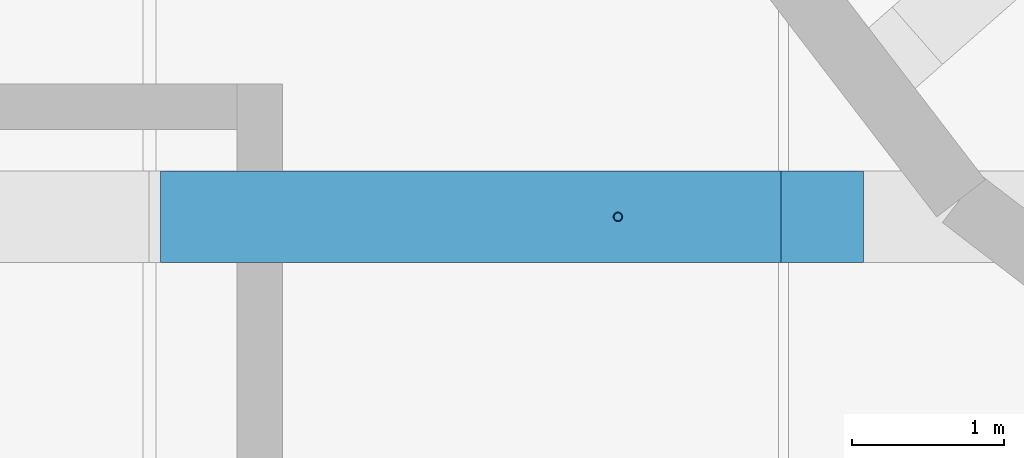
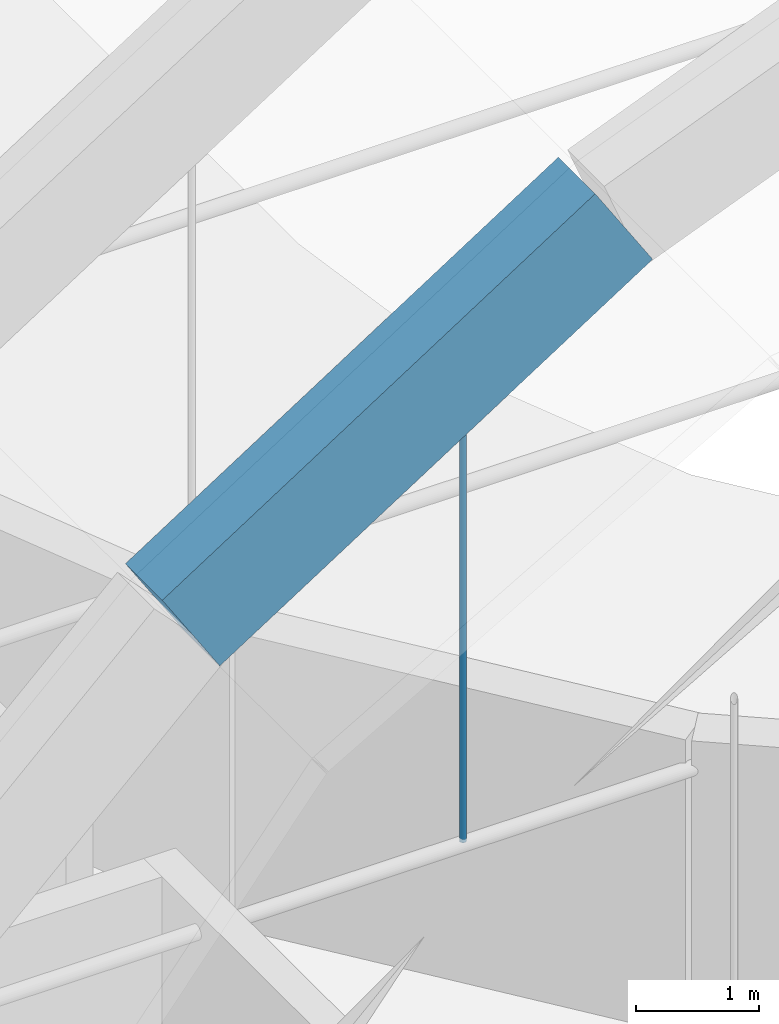
# One storey, part 13 of 94: 1 beam, 1 member.
"""IFC4 building model written with IfcOpenShell, lengths in metres."""

from ifc_helpers import new_model, si_unit, direction, frame, origin, origin_2d, place, context, subcontext, project, spatial, rectangle, hollow_circle, extrude, material, material_profile, profile_set, type_object, element, save


model = new_model("IFC4")

# Units and contexts
model_context = context("Model", 3, precision=1e-05, world=origin(), true_north=direction((0.0, 1.0)))
body_context = subcontext(model_context, "Body", "Model", "MODEL_VIEW")
ifc_project = project(units=[si_unit("LENGTHUNIT", "METRE"), si_unit("AREAUNIT", "SQUARE_METRE"), si_unit("VOLUMEUNIT", "CUBIC_METRE"), si_unit("PLANEANGLEUNIT", "RADIAN"), si_unit("MASSUNIT", "GRAM", prefix="KILO")], contexts=[model_context])

# Site, building, storey
site_placement = place(None, origin())
site = spatial("IfcSite", under=ifc_project, at=site_placement, CompositionType="ELEMENT")
building_placement = place(site_placement, origin())
building = spatial("IfcBuilding", under=site, at=building_placement, Name="Lunette Opera House", CompositionType="ELEMENT")
storey_placement = place(building_placement, frame((0.0, 0.0, 22.5)))
storey = spatial("IfcBuildingStorey", under=building, at=storey_placement, Name="L04", CompositionType="ELEMENT", Elevation=22.5)

# Beam
ifc_material_1 = material(Name="Concrete C40/50", Category="concrete")
ifc_material_profile_1 = material_profile(ifc_material_1, rectangle(XDim=0.60009765625, YDim=1.0, at=origin_2d()), Name="ARCH BEAM 600X1000")
ifc_profile_set_1 = profile_set([ifc_material_profile_1], Name="Concrete C40/50")
beam_type = type_object("IfcBeamType", Name="ARCH BEAM 600X1000", PredefinedType="BEAM", material=ifc_profile_set_1)
beam_placement = place(storey_placement, frame((80.27001953125, 73.12890625, 5.931884765625), z_axis=(0.84120306647, 0.0, 0.54071933659), x_axis=(0.0, 1.0, 0.0)))
element("IfcBeam", 1, at=beam_placement, inside=storey, type_object=beam_type, Name="beam-AU-L04-EA3-2", PredefinedType="BEAM", context=body_context, shape_type="SweptSolid", body=[
    extrude(rectangle(XDim=0.60009765625, YDim=1.0, at=origin_2d()), origin(), (0.0, 0.0, 1.0), 4.83837890625),
])

# Member
ifc_material_2 = material(Name="Steel S355", Category="steel")
ifc_material_profile_2 = material_profile(ifc_material_2, hollow_circle(Radius=0.030029296875, WallThickness=0.00390625, at=origin_2d()), Name="CHS 60.3X4")
ifc_profile_set_2 = profile_set([ifc_material_profile_2], Name="Steel S355")
member_type = type_object("IfcMemberType", Name="CHS 60.3X4", PredefinedType="POST", material=ifc_profile_set_2)
member_placement = place(storey_placement, frame((83.0, 73.12890625, 2.72998046875), z_axis=(0.0, 0.0, 1.0), x_axis=(1.0, 0.0, 0.0)))
element("IfcMember", 2, at=member_placement, inside=storey, type_object=member_type, Name="mem-AU-L04-HG3-83", PredefinedType="POST", context=body_context, shape_type="SweptSolid", body=[
    extrude(hollow_circle(Radius=0.030029296875, WallThickness=0.00390625, at=origin_2d()), origin(), (0.0, 0.0, 1.0), 4.4111328125),
])

save(model, "model.ifc")
